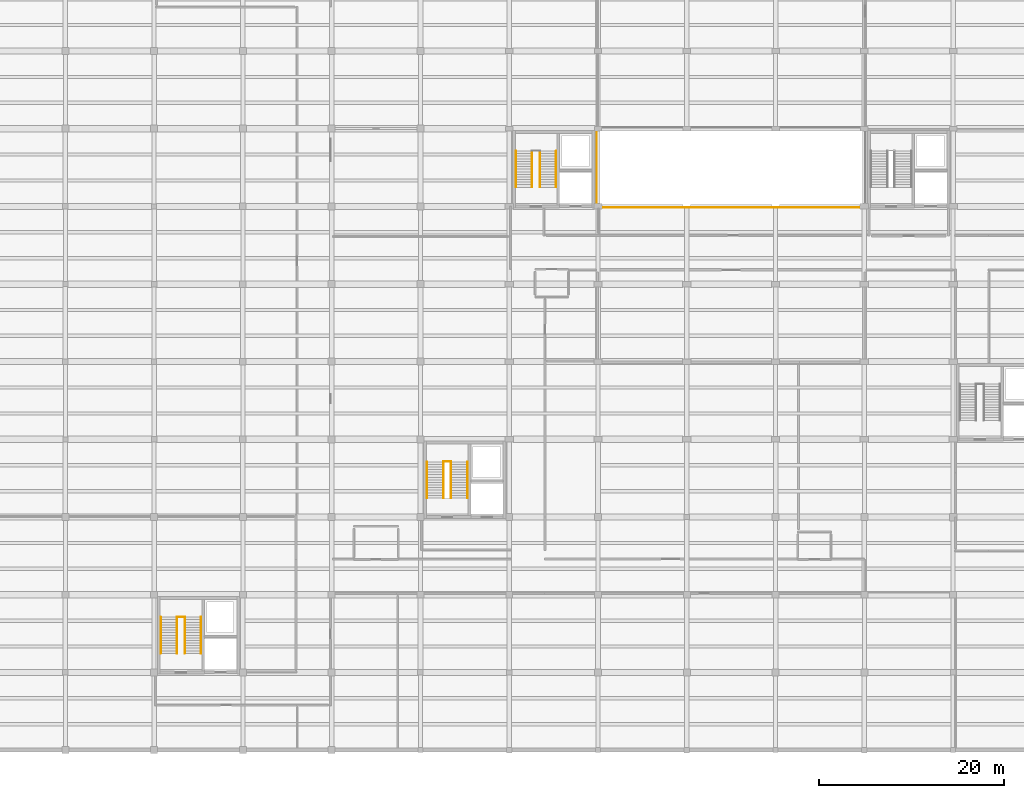
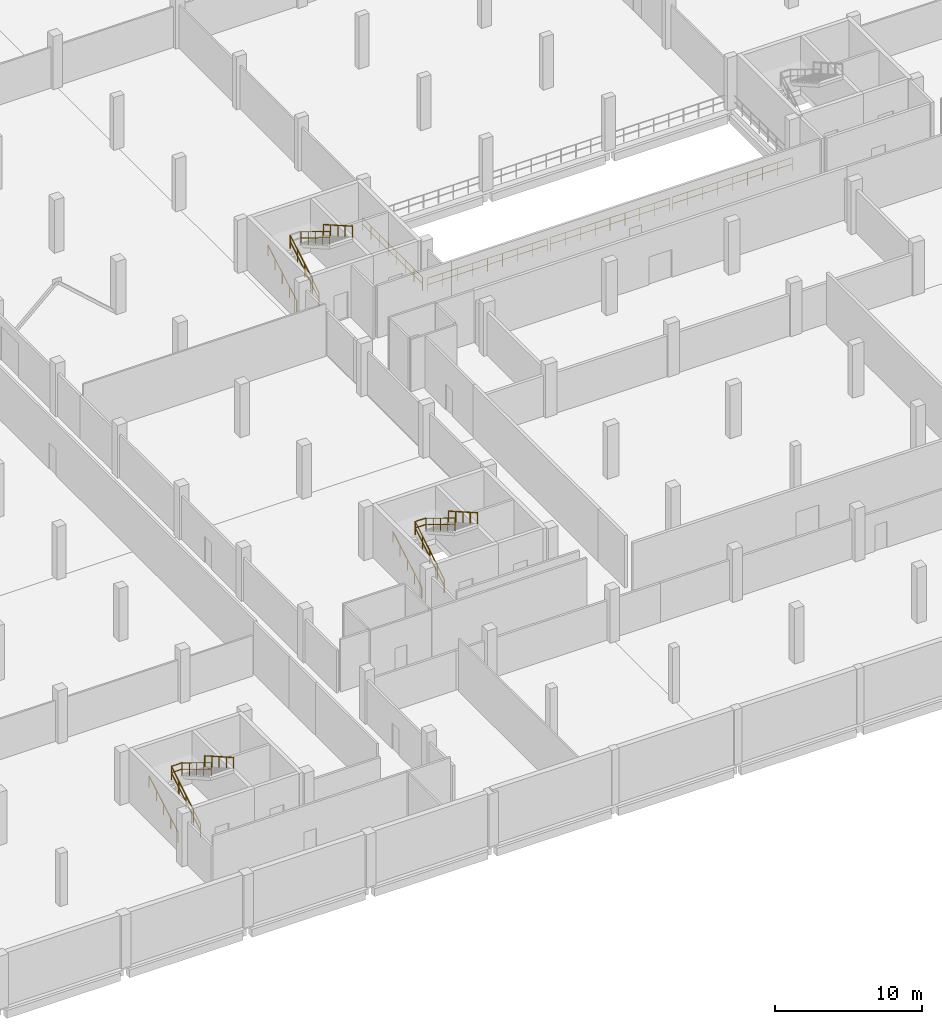
# One storey, part 26 of 30: 18 railings.
"""IFC4 building model written with IfcOpenShell, lengths in metres."""

from ifc_helpers import new_model, si_unit, direction, frame, origin, origin_2d, place, context, subcontext, project, spatial, circle, extrude, material, layer, layer_set, type_object, element, save


model = new_model("IFC4")

# Units and contexts
model_context = context("Model", 3, precision=1e-05, world=origin(), true_north=direction((0.0, 1.0)))
body_context = subcontext(model_context, "Body", "Model", "MODEL_VIEW")
ifc_project = project(units=[si_unit("LENGTHUNIT", "METRE"), si_unit("AREAUNIT", "SQUARE_METRE"), si_unit("VOLUMEUNIT", "CUBIC_METRE"), si_unit("PLANEANGLEUNIT", "RADIAN"), si_unit("MASSUNIT", "GRAM", prefix="KILO")], contexts=[model_context])

# Site, building, storey
site_placement = place(None, origin())
site = spatial("IfcSite", under=ifc_project, at=site_placement, CompositionType="ELEMENT")
building_placement = place(site_placement, origin())
building = spatial("IfcBuilding", under=site, at=building_placement, Name="Lornevale Opera House", CompositionType="ELEMENT")
storey_placement = place(building_placement, frame((0.0, 0.0, -4.800048828125)))
storey = spatial("IfcBuildingStorey", under=building, at=storey_placement, Name="B1", CompositionType="ELEMENT", Elevation=-4.800048828125)

# Railings
ifc_material = material(Name="Structural Steel CSA G40.21 Grade 350W (350 MPa)", Category="steel")
ifc_layer_1 = layer(ifc_material, 0.06005859375)
ifc_layer_set_1 = layer_set([ifc_layer_1], Name="Structural Steel CSA G40.21 Grade 350W (350 MPa)")
railing_type_1 = type_object("IfcRailingType", Name="Atrium Acoustic Balustrade 1120", PredefinedType="BALUSTRADE", material=ifc_layer_set_1)
railing_1_placement = place(storey_placement, frame((67.06005859375, 58.919921875, 0.0)))
element("IfcRailing", 1, at=railing_1_placement, inside=storey, type_object=railing_type_1, Name="Atrium & Bowl Balustrade B1 0251", PredefinedType="BALUSTRADE", context=body_context, shape_type="SweptSolid", body=[
    extrude(circle(Radius=0.02392578125, at=origin_2d()), frame((0.0, 0.0, 1.09619140625), z_axis=(0.0, 1.0, 0.0), x_axis=(-1.0, 0.0, 0.0)), (0.0, 0.0, 1.0), 8.16015625),
    extrude(circle(Radius=0.02392578125, at=origin_2d()), frame((0.0, 0.0, 0.56005859375), z_axis=(0.0, 1.0, 0.0), x_axis=(-1.0, 0.0, 0.0)), (0.0, 0.0, 1.0), 8.16015625),
    extrude(circle(Radius=0.02099609375, at=origin_2d()), origin(), (0.0, 0.0, 1.0), 1.072021484375),
    extrude(circle(Radius=0.02099609375, at=origin_2d()), frame((0.0, 1.165771484375, 0.0)), (0.0, 0.0, 1.0), 1.072021484375),
    extrude(circle(Radius=0.02099609375, at=origin_2d()), frame((0.0, 2.33154296875, 0.0)), (0.0, 0.0, 1.0), 1.072021484375),
    extrude(circle(Radius=0.02099609375, at=origin_2d()), frame((0.0, 3.497314453125, 0.0)), (0.0, 0.0, 1.0), 1.072021484375),
    extrude(circle(Radius=0.02099609375, at=origin_2d()), frame((0.0, 4.662841796875, 0.0)), (0.0, 0.0, 1.0), 1.072021484375),
    extrude(circle(Radius=0.02099609375, at=origin_2d()), frame((0.0, 5.82861328125, 0.0)), (0.0, 0.0, 1.0), 1.072021484375),
    extrude(circle(Radius=0.02099609375, at=origin_2d()), frame((0.0, 6.994384765625, 0.0)), (0.0, 0.0, 1.0), 1.072021484375),
    extrude(circle(Radius=0.02099609375, at=origin_2d()), frame((0.0, 8.16015625, 0.0)), (0.0, 0.0, 1.0), 1.072021484375),
])
railing_2_placement = place(storey_placement, frame((67.320068359375, 58.659912109375, 0.0)))
element("IfcRailing", 2, at=railing_2_placement, inside=storey, type_object=railing_type_1, Name="Atrium & Bowl Balustrade B1 0252", PredefinedType="BALUSTRADE", context=body_context, shape_type="SweptSolid", body=[
    extrude(circle(Radius=0.02392578125, at=origin_2d()), frame((0.0, 0.0, 1.09619140625), z_axis=(1.0, 0.0, 0.0), x_axis=(0.0, 1.0, 0.0)), (0.0, 0.0, 1.0), 9.35986328125),
    extrude(circle(Radius=0.02392578125, at=origin_2d()), frame((0.0, 0.0, 0.56005859375), z_axis=(1.0, 0.0, 0.0), x_axis=(0.0, 1.0, 0.0)), (0.0, 0.0, 1.0), 9.35986328125),
    extrude(circle(Radius=0.02099609375, at=origin_2d()), origin(), (0.0, 0.0, 1.0), 1.072021484375),
    extrude(circle(Radius=0.02099609375, at=origin_2d()), frame((1.169921875, 0.0, 0.0)), (0.0, 0.0, 1.0), 1.072021484375),
    extrude(circle(Radius=0.02099609375, at=origin_2d()), frame((2.33984375, 0.0, 0.0)), (0.0, 0.0, 1.0), 1.072021484375),
    extrude(circle(Radius=0.02099609375, at=origin_2d()), frame((3.510009765625, 0.0, 0.0)), (0.0, 0.0, 1.0), 1.072021484375),
    extrude(circle(Radius=0.02099609375, at=origin_2d()), frame((4.679931640625, 0.0, 0.0)), (0.0, 0.0, 1.0), 1.072021484375),
    extrude(circle(Radius=0.02099609375, at=origin_2d()), frame((5.849853515625, 0.0, 0.0)), (0.0, 0.0, 1.0), 1.072021484375),
    extrude(circle(Radius=0.02099609375, at=origin_2d()), frame((7.02001953125, 0.0, 0.0)), (0.0, 0.0, 1.0), 1.072021484375),
    extrude(circle(Radius=0.02099609375, at=origin_2d()), frame((8.18994140625, 0.0, 0.0)), (0.0, 0.0, 1.0), 1.072021484375),
    extrude(circle(Radius=0.02099609375, at=origin_2d()), frame((9.35986328125, 0.0, 0.0)), (0.0, 0.0, 1.0), 1.072021484375),
])
railing_3_placement = place(storey_placement, frame((76.919921875, 58.659912109375, 0.0)))
element("IfcRailing", 3, at=railing_3_placement, inside=storey, type_object=railing_type_1, Name="Atrium & Bowl Balustrade B1 0254", PredefinedType="BALUSTRADE", context=body_context, shape_type="SweptSolid", body=[
    extrude(circle(Radius=0.02392578125, at=origin_2d()), frame((0.0, 0.0, 1.09619140625), z_axis=(1.0, 0.0, 0.0), x_axis=(0.0, 1.0, 0.0)), (0.0, 0.0, 1.0), 9.360107421875),
    extrude(circle(Radius=0.02392578125, at=origin_2d()), frame((0.0, 0.0, 0.56005859375), z_axis=(1.0, 0.0, 0.0), x_axis=(0.0, 1.0, 0.0)), (0.0, 0.0, 1.0), 9.360107421875),
    extrude(circle(Radius=0.02099609375, at=origin_2d()), origin(), (0.0, 0.0, 1.0), 1.072021484375),
    extrude(circle(Radius=0.02099609375, at=origin_2d()), frame((1.169921875, 0.0, 0.0)), (0.0, 0.0, 1.0), 1.072021484375),
    extrude(circle(Radius=0.02099609375, at=origin_2d()), frame((2.340087890625, 0.0, 0.0)), (0.0, 0.0, 1.0), 1.072021484375),
    extrude(circle(Radius=0.02099609375, at=origin_2d()), frame((3.510009765625, 0.0, 0.0)), (0.0, 0.0, 1.0), 1.072021484375),
    extrude(circle(Radius=0.02099609375, at=origin_2d()), frame((4.68017578125, 0.0, 0.0)), (0.0, 0.0, 1.0), 1.072021484375),
    extrude(circle(Radius=0.02099609375, at=origin_2d()), frame((5.85009765625, 0.0, 0.0)), (0.0, 0.0, 1.0), 1.072021484375),
    extrude(circle(Radius=0.02099609375, at=origin_2d()), frame((7.02001953125, 0.0, 0.0)), (0.0, 0.0, 1.0), 1.072021484375),
    extrude(circle(Radius=0.02099609375, at=origin_2d()), frame((8.190185546875, 0.0, 0.0)), (0.0, 0.0, 1.0), 1.072021484375),
    extrude(circle(Radius=0.02099609375, at=origin_2d()), frame((9.360107421875, 0.0, 0.0)), (0.0, 0.0, 1.0), 1.072021484375),
])
railing_4_placement = place(storey_placement, frame((86.52001953125, 58.659912109375, 0.0)))
element("IfcRailing", 4, at=railing_4_placement, inside=storey, type_object=railing_type_1, Name="Atrium & Bowl Balustrade B1 0256", PredefinedType="BALUSTRADE", context=body_context, shape_type="SweptSolid", body=[
    extrude(circle(Radius=0.02392578125, at=origin_2d()), frame((0.0, 0.0, 1.09619140625), z_axis=(1.0, 0.0, 0.0), x_axis=(0.0, 1.0, 0.0)), (0.0, 0.0, 1.0), 9.35986328125),
    extrude(circle(Radius=0.02392578125, at=origin_2d()), frame((0.0, 0.0, 0.56005859375), z_axis=(1.0, 0.0, 0.0), x_axis=(0.0, 1.0, 0.0)), (0.0, 0.0, 1.0), 9.35986328125),
    extrude(circle(Radius=0.02099609375, at=origin_2d()), origin(), (0.0, 0.0, 1.0), 1.072021484375),
    extrude(circle(Radius=0.02099609375, at=origin_2d()), frame((1.169921875, 0.0, 0.0)), (0.0, 0.0, 1.0), 1.072021484375),
    extrude(circle(Radius=0.02099609375, at=origin_2d()), frame((2.33984375, 0.0, 0.0)), (0.0, 0.0, 1.0), 1.072021484375),
    extrude(circle(Radius=0.02099609375, at=origin_2d()), frame((3.510009765625, 0.0, 0.0)), (0.0, 0.0, 1.0), 1.072021484375),
    extrude(circle(Radius=0.02099609375, at=origin_2d()), frame((4.679931640625, 0.0, 0.0)), (0.0, 0.0, 1.0), 1.072021484375),
    extrude(circle(Radius=0.02099609375, at=origin_2d()), frame((5.849853515625, 0.0, 0.0)), (0.0, 0.0, 1.0), 1.072021484375),
    extrude(circle(Radius=0.02099609375, at=origin_2d()), frame((7.02001953125, 0.0, 0.0)), (0.0, 0.0, 1.0), 1.072021484375),
    extrude(circle(Radius=0.02099609375, at=origin_2d()), frame((8.18994140625, 0.0, 0.0)), (0.0, 0.0, 1.0), 1.072021484375),
    extrude(circle(Radius=0.02099609375, at=origin_2d()), frame((9.35986328125, 0.0, 0.0)), (0.0, 0.0, 1.0), 1.072021484375),
])
ifc_layer_2 = layer(ifc_material, 0.050048828125)
ifc_layer_set_2 = layer_set([ifc_layer_2], Name="Structural Steel CSA G40.21 Grade 350W (350 MPa)")
railing_type_2 = type_object("IfcRailingType", Name="Stair Well Guardrail 1100", PredefinedType="GUARDRAIL", material=ifc_layer_set_2)
railing_5_placement = place(storey_placement, frame((50.47998046875, 27.260009765625, 0.0)))
element("IfcRailing", 5, at=railing_5_placement, inside=storey, type_object=railing_type_2, Name="ST-02 Inner Well Guard F1", PredefinedType="GUARDRAIL", context=body_context, shape_type="SweptSolid", body=[
    extrude(circle(Radius=0.02392578125, at=origin_2d()), frame((0.0, 0.0, 1.076171875), z_axis=(0.0, 0.852832477147, 0.522184609045), x_axis=(-1.0, 0.0, 0.0)), (0.0, 0.0, 1.0), 4.596435546875),
    extrude(circle(Radius=0.02392578125, at=origin_2d()), frame((0.0, 0.0, 0.550048828125), z_axis=(0.0, 0.852832477147, 0.522184609045), x_axis=(-1.0, 0.0, 0.0)), (0.0, 0.0, 1.0), 4.596435546875),
    extrude(circle(Radius=0.02099609375, at=origin_2d()), origin(), (0.0, 0.0, 1.0), 1.052001953125),
    extrude(circle(Radius=0.02099609375, at=origin_2d()), frame((0.0, 0.97998046875, 0.60009765625)), (0.0, 0.0, 1.0), 1.052001953125),
    extrude(circle(Radius=0.02099609375, at=origin_2d()), frame((0.0, 1.9599609375, 1.2001953125)), (0.0, 0.0, 1.0), 1.052001953125),
    extrude(circle(Radius=0.02099609375, at=origin_2d()), frame((0.0, 2.93994140625, 1.800048828125)), (0.0, 0.0, 1.0), 1.052001953125),
    extrude(circle(Radius=0.02099609375, at=origin_2d()), frame((0.0, 3.919921875, 2.400146484375)), (0.0, 0.0, 1.0), 1.052001953125),
])
railing_6_placement = place(storey_placement, frame((51.320068359375, 31.179931640625, 2.400146484375)))
element("IfcRailing", 6, at=railing_6_placement, inside=storey, type_object=railing_type_2, Name="ST-02 Inner Well Guard F2", PredefinedType="GUARDRAIL", context=body_context, shape_type="SweptSolid", body=[
    extrude(circle(Radius=0.02392578125, at=origin_2d()), frame((0.0, 0.0, 1.076171875), z_axis=(0.0, -0.852856131449, 0.522145974847), x_axis=(1.0, 0.0, 0.0)), (0.0, 0.0, 1.0), 4.59619140625),
    extrude(circle(Radius=0.02392578125, at=origin_2d()), frame((0.0, 0.0, 0.550048828125), z_axis=(0.0, -0.852856131449, 0.522145974847), x_axis=(1.0, 0.0, 0.0)), (0.0, 0.0, 1.0), 4.59619140625),
    extrude(circle(Radius=0.02099609375, at=origin_2d()), origin(), (0.0, 0.0, 1.0), 1.052001953125),
    extrude(circle(Radius=0.02099609375, at=origin_2d()), frame((0.0, -0.97998046875, 0.60009765625)), (0.0, 0.0, 1.0), 1.052001953125),
    extrude(circle(Radius=0.02099609375, at=origin_2d()), frame((0.0, -1.9599609375, 1.199951171875)), (0.0, 0.0, 1.0), 1.052001953125),
    extrude(circle(Radius=0.02099609375, at=origin_2d()), frame((0.0, -2.93994140625, 1.7998046875)), (0.0, 0.0, 1.0), 1.052001953125),
    extrude(circle(Radius=0.02099609375, at=origin_2d()), frame((0.0, -3.919921875, 2.39990234375)), (0.0, 0.0, 1.0), 1.052001953125),
])
railing_7_placement = place(storey_placement, frame((50.47998046875, 31.2099609375, 2.400146484375)))
element("IfcRailing", 7, at=railing_7_placement, inside=storey, type_object=railing_type_2, Name="ST-02 Half-Landing Slot Guard", PredefinedType="GUARDRAIL", context=body_context, shape_type="SweptSolid", body=[
    extrude(circle(Radius=0.02392578125, at=origin_2d()), frame((0.0, 0.0, 1.076171875), z_axis=(1.0, 0.0, 0.0), x_axis=(0.0, 1.0, 0.0)), (0.0, 0.0, 1.0), 0.840087890625),
    extrude(circle(Radius=0.02392578125, at=origin_2d()), frame((0.0, 0.0, 0.550048828125), z_axis=(1.0, 0.0, 0.0), x_axis=(0.0, 1.0, 0.0)), (0.0, 0.0, 1.0), 0.840087890625),
    extrude(circle(Radius=0.02099609375, at=origin_2d()), origin(), (0.0, 0.0, 1.0), 1.052001953125),
    extrude(circle(Radius=0.02099609375, at=origin_2d()), frame((0.840087890625, 0.0, 0.0)), (0.0, 0.0, 1.0), 1.052001953125),
])
railing_8_placement = place(storey_placement, frame((21.679931640625, 10.4599609375, 0.0)))
element("IfcRailing", 8, at=railing_8_placement, inside=storey, type_object=railing_type_2, Name="ST-09 Inner Well Guard F1", PredefinedType="GUARDRAIL", context=body_context, shape_type="SweptSolid", body=[
    extrude(circle(Radius=0.02392578125, at=origin_2d()), frame((0.0, 0.0, 1.076171875), z_axis=(0.0, 0.852832477147, 0.522184609045), x_axis=(-1.0, 0.0, 0.0)), (0.0, 0.0, 1.0), 4.596435546875),
    extrude(circle(Radius=0.02392578125, at=origin_2d()), frame((0.0, 0.0, 0.550048828125), z_axis=(0.0, 0.852832477147, 0.522184609045), x_axis=(-1.0, 0.0, 0.0)), (0.0, 0.0, 1.0), 4.596435546875),
    extrude(circle(Radius=0.02099609375, at=origin_2d()), origin(), (0.0, 0.0, 1.0), 1.052001953125),
    extrude(circle(Radius=0.02099609375, at=origin_2d()), frame((0.0, 0.97998046875, 0.60009765625)), (0.0, 0.0, 1.0), 1.052001953125),
    extrude(circle(Radius=0.02099609375, at=origin_2d()), frame((0.0, 1.9599609375, 1.2001953125)), (0.0, 0.0, 1.0), 1.052001953125),
    extrude(circle(Radius=0.02099609375, at=origin_2d()), frame((0.0, 2.93994140625, 1.800048828125)), (0.0, 0.0, 1.0), 1.052001953125),
    extrude(circle(Radius=0.02099609375, at=origin_2d()), frame((0.0, 3.919921875, 2.400146484375)), (0.0, 0.0, 1.0), 1.052001953125),
])
railing_9_placement = place(storey_placement, frame((22.52001953125, 14.3798828125, 2.400146484375)))
element("IfcRailing", 9, at=railing_9_placement, inside=storey, type_object=railing_type_2, Name="ST-09 Inner Well Guard F2", PredefinedType="GUARDRAIL", context=body_context, shape_type="SweptSolid", body=[
    extrude(circle(Radius=0.02392578125, at=origin_2d()), frame((0.0, 0.0, 1.076171875), z_axis=(0.0, -0.852856131449, 0.522145974847), x_axis=(1.0, 0.0, 0.0)), (0.0, 0.0, 1.0), 4.59619140625),
    extrude(circle(Radius=0.02392578125, at=origin_2d()), frame((0.0, 0.0, 0.550048828125), z_axis=(0.0, -0.852856131449, 0.522145974847), x_axis=(1.0, 0.0, 0.0)), (0.0, 0.0, 1.0), 4.59619140625),
    extrude(circle(Radius=0.02099609375, at=origin_2d()), origin(), (0.0, 0.0, 1.0), 1.052001953125),
    extrude(circle(Radius=0.02099609375, at=origin_2d()), frame((0.0, -0.97998046875, 0.60009765625)), (0.0, 0.0, 1.0), 1.052001953125),
    extrude(circle(Radius=0.02099609375, at=origin_2d()), frame((0.0, -1.9599609375, 1.199951171875)), (0.0, 0.0, 1.0), 1.052001953125),
    extrude(circle(Radius=0.02099609375, at=origin_2d()), frame((0.0, -2.93994140625, 1.7998046875)), (0.0, 0.0, 1.0), 1.052001953125),
    extrude(circle(Radius=0.02099609375, at=origin_2d()), frame((0.0, -3.919921875, 2.39990234375)), (0.0, 0.0, 1.0), 1.052001953125),
])
railing_10_placement = place(storey_placement, frame((21.679931640625, 14.409912109375, 2.400146484375)))
element("IfcRailing", 10, at=railing_10_placement, inside=storey, type_object=railing_type_2, Name="ST-09 Half-Landing Slot Guard", PredefinedType="GUARDRAIL", context=body_context, shape_type="SweptSolid", body=[
    extrude(circle(Radius=0.02392578125, at=origin_2d()), frame((0.0, 0.0, 1.076171875), z_axis=(1.0, 0.0, 0.0), x_axis=(0.0, 1.0, 0.0)), (0.0, 0.0, 1.0), 0.840087890625),
    extrude(circle(Radius=0.02392578125, at=origin_2d()), frame((0.0, 0.0, 0.550048828125), z_axis=(1.0, 0.0, 0.0), x_axis=(0.0, 1.0, 0.0)), (0.0, 0.0, 1.0), 0.840087890625),
    extrude(circle(Radius=0.02099609375, at=origin_2d()), origin(), (0.0, 0.0, 1.0), 1.052001953125),
    extrude(circle(Radius=0.02099609375, at=origin_2d()), frame((0.840087890625, 0.0, 0.0)), (0.0, 0.0, 1.0), 1.052001953125),
])
railing_11_placement = place(storey_placement, frame((60.080078125, 60.860107421875, 0.0)))
element("IfcRailing", 11, at=railing_11_placement, inside=storey, type_object=railing_type_2, Name="ST-15 Inner Well Guard F1", PredefinedType="GUARDRAIL", context=body_context, shape_type="SweptSolid", body=[
    extrude(circle(Radius=0.02392578125, at=origin_2d()), frame((0.0, 0.0, 1.076171875), z_axis=(0.0, 0.852832477147, 0.522184609045), x_axis=(-1.0, 0.0, 0.0)), (0.0, 0.0, 1.0), 4.596435546875),
    extrude(circle(Radius=0.02392578125, at=origin_2d()), frame((0.0, 0.0, 0.550048828125), z_axis=(0.0, 0.852832477147, 0.522184609045), x_axis=(-1.0, 0.0, 0.0)), (0.0, 0.0, 1.0), 4.596435546875),
    extrude(circle(Radius=0.02099609375, at=origin_2d()), origin(), (0.0, 0.0, 1.0), 1.052001953125),
    extrude(circle(Radius=0.02099609375, at=origin_2d()), frame((0.0, 0.97998046875, 0.60009765625)), (0.0, 0.0, 1.0), 1.052001953125),
    extrude(circle(Radius=0.02099609375, at=origin_2d()), frame((0.0, 1.9599609375, 1.2001953125)), (0.0, 0.0, 1.0), 1.052001953125),
    extrude(circle(Radius=0.02099609375, at=origin_2d()), frame((0.0, 2.93994140625, 1.800048828125)), (0.0, 0.0, 1.0), 1.052001953125),
    extrude(circle(Radius=0.02099609375, at=origin_2d()), frame((0.0, 3.919921875, 2.400146484375)), (0.0, 0.0, 1.0), 1.052001953125),
])
railing_12_placement = place(storey_placement, frame((60.919921875, 64.780029296875, 2.400146484375)))
element("IfcRailing", 12, at=railing_12_placement, inside=storey, type_object=railing_type_2, Name="ST-15 Inner Well Guard F2", PredefinedType="GUARDRAIL", context=body_context, shape_type="SweptSolid", body=[
    extrude(circle(Radius=0.02392578125, at=origin_2d()), frame((0.0, 0.0, 1.076171875), z_axis=(0.0, -0.852856131449, 0.522145974847), x_axis=(1.0, 0.0, 0.0)), (0.0, 0.0, 1.0), 4.59619140625),
    extrude(circle(Radius=0.02392578125, at=origin_2d()), frame((0.0, 0.0, 0.550048828125), z_axis=(0.0, -0.852856131449, 0.522145974847), x_axis=(1.0, 0.0, 0.0)), (0.0, 0.0, 1.0), 4.59619140625),
    extrude(circle(Radius=0.02099609375, at=origin_2d()), origin(), (0.0, 0.0, 1.0), 1.052001953125),
    extrude(circle(Radius=0.02099609375, at=origin_2d()), frame((0.0, -0.97998046875, 0.60009765625)), (0.0, 0.0, 1.0), 1.052001953125),
    extrude(circle(Radius=0.02099609375, at=origin_2d()), frame((0.0, -1.9599609375, 1.199951171875)), (0.0, 0.0, 1.0), 1.052001953125),
    extrude(circle(Radius=0.02099609375, at=origin_2d()), frame((0.0, -2.93994140625, 1.7998046875)), (0.0, 0.0, 1.0), 1.052001953125),
    extrude(circle(Radius=0.02099609375, at=origin_2d()), frame((0.0, -3.919921875, 2.39990234375)), (0.0, 0.0, 1.0), 1.052001953125),
])
ifc_layer_3 = layer(ifc_material, 0.048095703125)
ifc_layer_set_3 = layer_set([ifc_layer_3], Name="Structural Steel CSA G40.21 Grade 350W (350 MPa)")
railing_type_3 = type_object("IfcRailingType", Name="Tubular Stair Handrail 915", PredefinedType="HANDRAIL", material=ifc_layer_set_3)
railing_13_placement = place(storey_placement, frame((48.719970703125, 27.260009765625, 0.1630859375)))
element("IfcRailing", 13, at=railing_13_placement, inside=storey, type_object=railing_type_3, Name="ST-02 Outer Handrail F1", PredefinedType="HANDRAIL", context=body_context, shape_type="SweptSolid", body=[
    extrude(circle(Radius=0.02392578125, at=origin_2d()), frame((0.0, 0.0, 0.89111328125), z_axis=(0.0, 0.868239814368, 0.496144761885), x_axis=(-1.0, 0.0, 0.0)), (0.0, 0.0, 1.0), 4.514892578125),
    extrude(circle(Radius=0.02099609375, at=origin_2d()), origin(), (0.0, 0.0, 1.0), 0.866943359375),
    extrude(circle(Radius=0.02099609375, at=origin_2d()), frame((0.0, 0.97998046875, 0.56005859375)), (0.0, 0.0, 1.0), 0.866943359375),
    extrude(circle(Radius=0.02099609375, at=origin_2d()), frame((0.0, 1.9599609375, 1.1201171875)), (0.0, 0.0, 1.0), 0.866943359375),
    extrude(circle(Radius=0.02099609375, at=origin_2d()), frame((0.0, 2.93994140625, 1.679931640625)), (0.0, 0.0, 1.0), 0.866943359375),
    extrude(circle(Radius=0.02099609375, at=origin_2d()), frame((0.0, 3.919921875, 2.239990234375)), (0.0, 0.0, 1.0), 0.866943359375),
])
railing_14_placement = place(storey_placement, frame((53.080078125, 31.179931640625, 2.56298828125)))
element("IfcRailing", 14, at=railing_14_placement, inside=storey, type_object=railing_type_3, Name="ST-02 Outer Handrail F2", PredefinedType="HANDRAIL", context=body_context, shape_type="SweptSolid", body=[
    extrude(circle(Radius=0.02392578125, at=origin_2d()), frame((0.0, 0.0, 0.89111328125), z_axis=(0.0, -0.868239814368, 0.496144761885), x_axis=(1.0, 0.0, 0.0)), (0.0, 0.0, 1.0), 4.514892578125),
    extrude(circle(Radius=0.02099609375, at=origin_2d()), origin(), (0.0, 0.0, 1.0), 0.866943359375),
    extrude(circle(Radius=0.02099609375, at=origin_2d()), frame((0.0, -0.97998046875, 0.56005859375)), (0.0, 0.0, 1.0), 0.866943359375),
    extrude(circle(Radius=0.02099609375, at=origin_2d()), frame((0.0, -1.9599609375, 1.1201171875)), (0.0, 0.0, 1.0), 0.866943359375),
    extrude(circle(Radius=0.02099609375, at=origin_2d()), frame((0.0, -2.93994140625, 1.679931640625)), (0.0, 0.0, 1.0), 0.866943359375),
    extrude(circle(Radius=0.02099609375, at=origin_2d()), frame((0.0, -3.919921875, 2.239990234375)), (0.0, 0.0, 1.0), 0.866943359375),
])
railing_15_placement = place(storey_placement, frame((19.919921875, 10.4599609375, 0.1630859375)))
element("IfcRailing", 15, at=railing_15_placement, inside=storey, type_object=railing_type_3, Name="ST-09 Outer Handrail F1", PredefinedType="HANDRAIL", context=body_context, shape_type="SweptSolid", body=[
    extrude(circle(Radius=0.02392578125, at=origin_2d()), frame((0.0, 0.0, 0.89111328125), z_axis=(0.0, 0.868239814368, 0.496144761885), x_axis=(-1.0, 0.0, 0.0)), (0.0, 0.0, 1.0), 4.514892578125),
    extrude(circle(Radius=0.02099609375, at=origin_2d()), origin(), (0.0, 0.0, 1.0), 0.866943359375),
    extrude(circle(Radius=0.02099609375, at=origin_2d()), frame((0.0, 0.97998046875, 0.56005859375)), (0.0, 0.0, 1.0), 0.866943359375),
    extrude(circle(Radius=0.02099609375, at=origin_2d()), frame((0.0, 1.9599609375, 1.1201171875)), (0.0, 0.0, 1.0), 0.866943359375),
    extrude(circle(Radius=0.02099609375, at=origin_2d()), frame((0.0, 2.93994140625, 1.679931640625)), (0.0, 0.0, 1.0), 0.866943359375),
    extrude(circle(Radius=0.02099609375, at=origin_2d()), frame((0.0, 3.919921875, 2.239990234375)), (0.0, 0.0, 1.0), 0.866943359375),
])
railing_16_placement = place(storey_placement, frame((24.280029296875, 14.3798828125, 2.56298828125)))
element("IfcRailing", 16, at=railing_16_placement, inside=storey, type_object=railing_type_3, Name="ST-09 Outer Handrail F2", PredefinedType="HANDRAIL", context=body_context, shape_type="SweptSolid", body=[
    extrude(circle(Radius=0.02392578125, at=origin_2d()), frame((0.0, 0.0, 0.89111328125), z_axis=(0.0, -0.868239814368, 0.496144761885), x_axis=(1.0, 0.0, 0.0)), (0.0, 0.0, 1.0), 4.514892578125),
    extrude(circle(Radius=0.02099609375, at=origin_2d()), origin(), (0.0, 0.0, 1.0), 0.866943359375),
    extrude(circle(Radius=0.02099609375, at=origin_2d()), frame((0.0, -0.97998046875, 0.56005859375)), (0.0, 0.0, 1.0), 0.866943359375),
    extrude(circle(Radius=0.02099609375, at=origin_2d()), frame((0.0, -1.9599609375, 1.1201171875)), (0.0, 0.0, 1.0), 0.866943359375),
    extrude(circle(Radius=0.02099609375, at=origin_2d()), frame((0.0, -2.93994140625, 1.679931640625)), (0.0, 0.0, 1.0), 0.866943359375),
    extrude(circle(Radius=0.02099609375, at=origin_2d()), frame((0.0, -3.919921875, 2.239990234375)), (0.0, 0.0, 1.0), 0.866943359375),
])
railing_17_placement = place(storey_placement, frame((58.320068359375, 60.860107421875, 0.1630859375)))
element("IfcRailing", 17, at=railing_17_placement, inside=storey, type_object=railing_type_3, Name="ST-15 Outer Handrail F1", PredefinedType="HANDRAIL", context=body_context, shape_type="SweptSolid", body=[
    extrude(circle(Radius=0.02392578125, at=origin_2d()), frame((0.0, 0.0, 0.89111328125), z_axis=(0.0, 0.868239814368, 0.496144761885), x_axis=(-1.0, 0.0, 0.0)), (0.0, 0.0, 1.0), 4.514892578125),
    extrude(circle(Radius=0.02099609375, at=origin_2d()), origin(), (0.0, 0.0, 1.0), 0.866943359375),
    extrude(circle(Radius=0.02099609375, at=origin_2d()), frame((0.0, 0.97998046875, 0.56005859375)), (0.0, 0.0, 1.0), 0.866943359375),
    extrude(circle(Radius=0.02099609375, at=origin_2d()), frame((0.0, 1.9599609375, 1.1201171875)), (0.0, 0.0, 1.0), 0.866943359375),
    extrude(circle(Radius=0.02099609375, at=origin_2d()), frame((0.0, 2.93994140625, 1.679931640625)), (0.0, 0.0, 1.0), 0.866943359375),
    extrude(circle(Radius=0.02099609375, at=origin_2d()), frame((0.0, 3.919921875, 2.239990234375)), (0.0, 0.0, 1.0), 0.866943359375),
])
railing_18_placement = place(storey_placement, frame((62.679931640625, 64.780029296875, 2.56298828125)))
element("IfcRailing", 18, at=railing_18_placement, inside=storey, type_object=railing_type_3, Name="ST-15 Outer Handrail F2", PredefinedType="HANDRAIL", context=body_context, shape_type="SweptSolid", body=[
    extrude(circle(Radius=0.02392578125, at=origin_2d()), frame((0.0, 0.0, 0.89111328125), z_axis=(0.0, -0.868239814368, 0.496144761885), x_axis=(1.0, 0.0, 0.0)), (0.0, 0.0, 1.0), 4.514892578125),
    extrude(circle(Radius=0.02099609375, at=origin_2d()), origin(), (0.0, 0.0, 1.0), 0.866943359375),
    extrude(circle(Radius=0.02099609375, at=origin_2d()), frame((0.0, -0.97998046875, 0.56005859375)), (0.0, 0.0, 1.0), 0.866943359375),
    extrude(circle(Radius=0.02099609375, at=origin_2d()), frame((0.0, -1.9599609375, 1.1201171875)), (0.0, 0.0, 1.0), 0.866943359375),
    extrude(circle(Radius=0.02099609375, at=origin_2d()), frame((0.0, -2.93994140625, 1.679931640625)), (0.0, 0.0, 1.0), 0.866943359375),
    extrude(circle(Radius=0.02099609375, at=origin_2d()), frame((0.0, -3.919921875, 2.239990234375)), (0.0, 0.0, 1.0), 0.866943359375),
])

save(model, "model.ifc")
